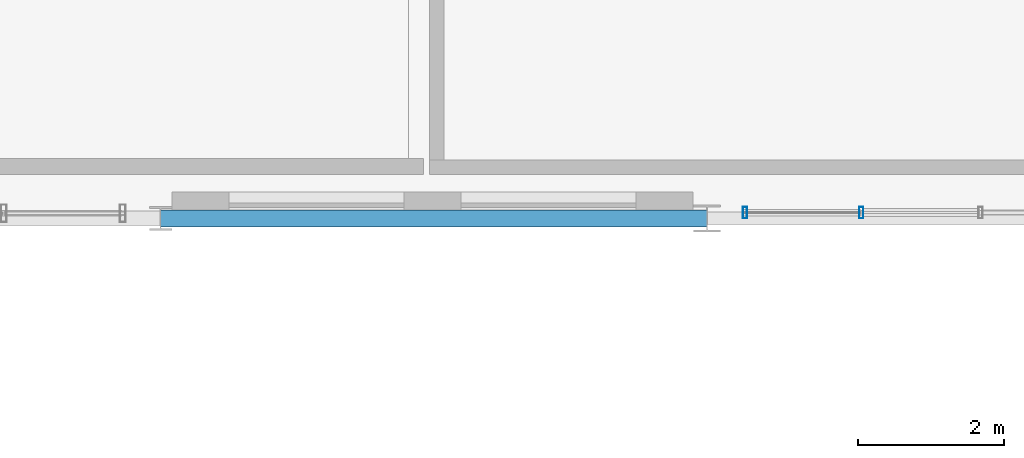
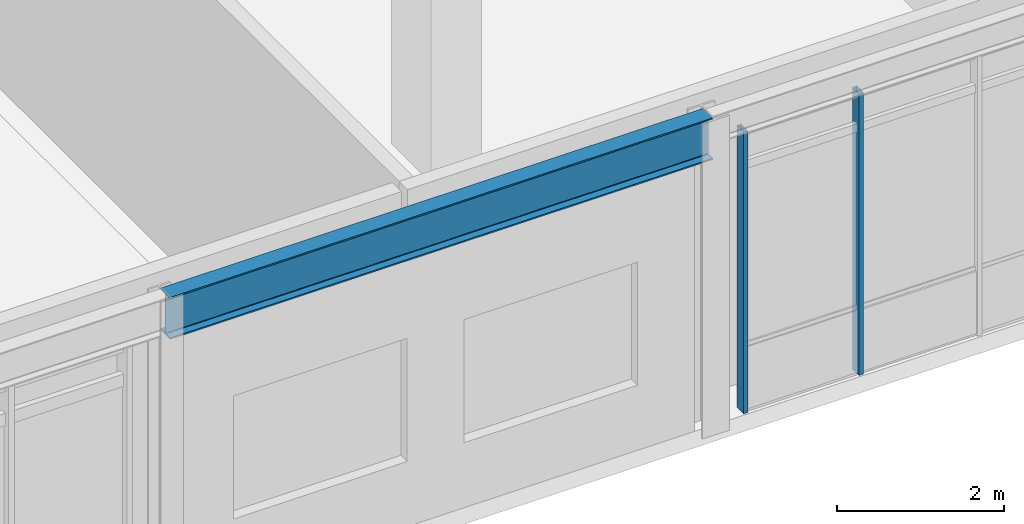
# One storey, part 19 of 200: 2 members, 1 beam, 1 element without a shape of its own.
"""IFC4 building model written with IfcOpenShell, lengths in metres."""

from ifc_helpers import new_model, si_unit, direction, frame, origin, origin_2d, place, context, subcontext, project, spatial, hollow_rectangle, i_section, extrude, material, material_profile, profile_set, type_object, element, aggregate, save


model = new_model("IFC4")

# Units and contexts
model_context = context("Model", 3, precision=1e-05, world=origin(), true_north=direction((0.0, 1.0)))
body_context = subcontext(model_context, "Body", "Model", "MODEL_VIEW")
ifc_project = project(units=[si_unit("LENGTHUNIT", "METRE"), si_unit("AREAUNIT", "SQUARE_METRE"), si_unit("VOLUMEUNIT", "CUBIC_METRE"), si_unit("PLANEANGLEUNIT", "RADIAN"), si_unit("MASSUNIT", "GRAM", prefix="KILO"), si_unit("THERMODYNAMICTEMPERATUREUNIT", "KELVIN"), si_unit("POWERUNIT", "WATT")], contexts=[model_context])

# Site, building, storey
site_placement = place(None, origin())
site = spatial("IfcSite", under=ifc_project, at=site_placement, CompositionType="ELEMENT")
building_placement = place(site_placement, origin())
building = spatial("IfcBuilding", under=site, at=building_placement, Name="Tepalcoro Natatorium and Aquatics Centre", CompositionType="ELEMENT")
storey_placement = place(building_placement, frame((0.0, 0.0, 5.39990234375)))
storey = spatial("IfcBuildingStorey", under=building, at=storey_placement, Name="L01", CompositionType="ELEMENT", Elevation=5.39990234375)

# Curtain wall, members
ifc_material_1 = material(Name="Bronze-Anodised Extruded Aluminium Alloy EN AW-6063 T6", Category="aluminium")
curtain_wall_type = type_object("IfcCurtainWallType", Name="CW_V5_LOWER", PredefinedType="USERDEFINED", material=ifc_material_1)
curtain_wall_placement = place(storey_placement, origin())
curtain_wall = element("IfcCurtainWall", 1, at=curtain_wall_placement, inside=storey, type_object=curtain_wall_type, Name="V3 L01 S Unitised Curtain Wall Bay 4", ObjectType="UNITISED STOREFRONT", PredefinedType="USERDEFINED")
ifc_material_profile_1 = material_profile(ifc_material_1, hollow_rectangle(XDim=0.06005859375, YDim=0.159912109375, WallThickness=0.00390625, at=origin_2d()), Name="AL60X160X4")
ifc_profile_set_1 = profile_set([ifc_material_profile_1], Name="Bronze-Anodised Extruded Aluminium Alloy EN AW-6063 T6")
member_type = type_object("IfcMemberType", Name="CW_MUL_60x160", PredefinedType="MULLION", material=ifc_profile_set_1)
member_1_placement = place(storey_placement, frame((29.02001953125, 6.580078125, 0.02001953125), z_axis=(0.0, 0.0, 1.0), x_axis=(1.0, 0.0, 0.0)))
member_1 = element("IfcMember", 2, at=member_1_placement, type_object=member_type, Name="CW_V5_LOWER Curtain Wall Mullion", PredefinedType="MULLION", context=body_context, shape_type="SweptSolid", body=[
    extrude(hollow_rectangle(XDim=0.06005859375, YDim=0.159912109375, WallThickness=0.00390625, at=origin_2d()), origin(), (0.0, 0.0, 1.0), 4.1171875),
])
member_2_placement = place(storey_placement, frame((30.614990234375, 6.580078125, 0.02001953125), z_axis=(0.0, 0.0, 1.0), x_axis=(1.0, 0.0, 0.0)))
member_2 = element("IfcMember", 3, at=member_2_placement, type_object=member_type, Name="CW_V5_LOWER Curtain Wall Mullion", PredefinedType="MULLION", context=body_context, shape_type="SweptSolid", body=[
    extrude(hollow_rectangle(XDim=0.06005859375, YDim=0.159912109375, WallThickness=0.00390625, at=origin_2d()), origin(), (0.0, 0.0, 1.0), 4.1171875),
])
aggregate(curtain_wall, [member_1, member_2])

# Beam
ifc_material_2 = material(Name="Steel ASTM A992 Grade 50 (Fy 345 MPa)", Category="steel")
ifc_material_profile_2 = material_profile(ifc_material_2, i_section(OverallWidth=0.22900390625, OverallDepth=0.612060546875, WebThickness=0.011962890625, FlangeThickness=0.02001953125, FilletRadius=0.013916015625, at=origin_2d()), Name="W24X84")
ifc_profile_set_2 = profile_set([ifc_material_profile_2], Name="Steel ASTM A992 Grade 50 (Fy 345 MPa)")
beam_type = type_object("IfcBeamType", Name="SP_W24x84", PredefinedType="SPANDREL", material=ifc_profile_set_2)
beam_placement = place(storey_placement, frame((21.0, 6.5, 4.279052734375), z_axis=(1.0, 0.0, 0.0), x_axis=(0.0, 1.0, 0.0)))
element("IfcBeam", 4, at=beam_placement, inside=storey, type_object=beam_type, Name="V3 L01 Grid Girder X", PredefinedType="SPANDREL", context=body_context, shape_type="SweptSolid", body=[
    extrude(i_section(OverallWidth=0.22900390625, OverallDepth=0.612060546875, WebThickness=0.011962890625, FlangeThickness=0.02001953125, FilletRadius=0.013916015625, at=origin_2d()), origin(), (0.0, 0.0, 1.0), 7.5),
])

save(model, "model.ifc")
